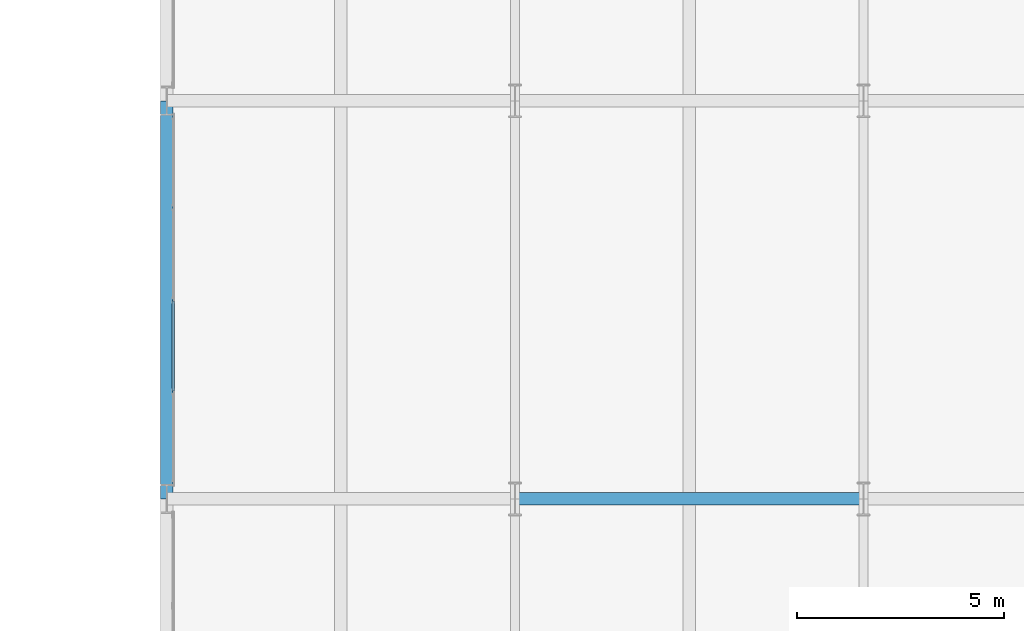
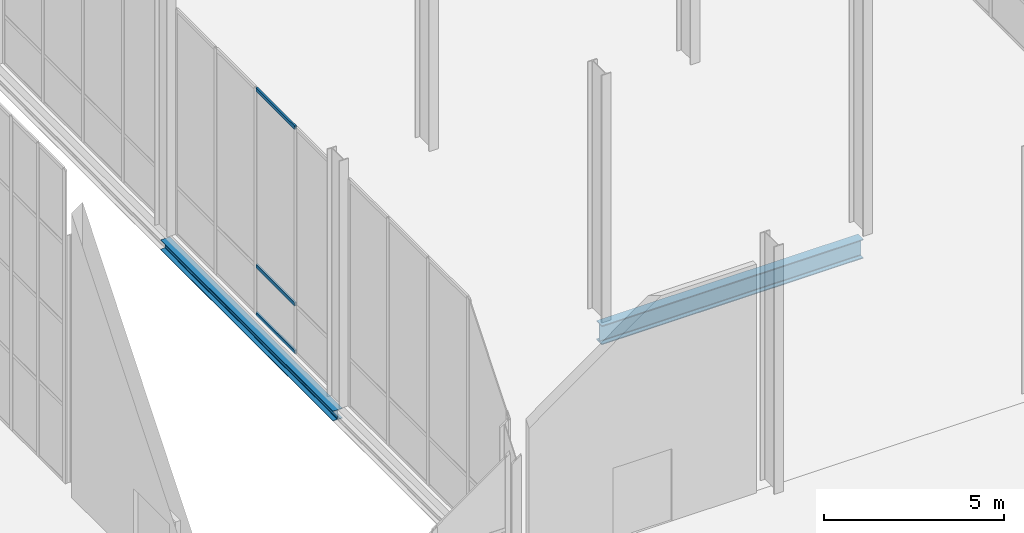
# One storey, part 59 of 131: 3 members, 2 beams, 1 element without a shape of its own.
"""IFC4 building model written with IfcOpenShell, lengths in metres."""

from ifc_helpers import new_model, si_unit, direction, frame, origin, origin_2d, place, context, subcontext, project, spatial, hollow_rectangle, i_section, extrude, material, material_profile, profile_set, type_object, element, aggregate, save


model = new_model("IFC4")

# Units and contexts
model_context = context("Model", 3, precision=1e-05, world=origin(), true_north=direction((0.0, 1.0)))
body_context = subcontext(model_context, "Body", "Model", "MODEL_VIEW")
ifc_project = project(units=[si_unit("LENGTHUNIT", "METRE"), si_unit("AREAUNIT", "SQUARE_METRE"), si_unit("VOLUMEUNIT", "CUBIC_METRE"), si_unit("PLANEANGLEUNIT", "RADIAN"), si_unit("MASSUNIT", "GRAM", prefix="KILO")], contexts=[model_context])

# Site, building, storey
site_placement = place(None, origin())
site = spatial("IfcSite", under=ifc_project, at=site_placement, CompositionType="ELEMENT")
building_placement = place(site_placement, origin())
building = spatial("IfcBuilding", under=site, at=building_placement, Name="Veltarok Museum of Natural Sciences", CompositionType="ELEMENT")
storey_placement = place(building_placement, origin())
storey = spatial("IfcBuildingStorey", under=building, at=storey_placement, Name="L00", CompositionType="ELEMENT", Elevation=0.0)

# Curtain wall, members
ifc_material_1 = material(Name="Low-iron triple insulated glass", Category="glass")
curtain_wall_type = type_object("IfcCurtainWallType", Name="Curtain Wall System CW-V2NPW-L00-2-890x768 (CW-V2NPW L00 890x768cm)", PredefinedType="NOTDEFINED", material=ifc_material_1)
curtain_wall_placement = place(storey_placement, origin())
curtain_wall = element("IfcCurtainWall", 1, at=curtain_wall_placement, inside=storey, type_object=curtain_wall_type, Name="Curtain Wall CW-V2NPW-L00-2-890x768 CW-0214", PredefinedType="NOTDEFINED")
ifc_material_2 = material(Name="Thermally broken anodised aluminium", Category="aluminium")
ifc_material_profile_1 = material_profile(ifc_material_2, hollow_rectangle(XDim=0.06005859375, YDim=0.1201171875, WallThickness=0.0048828125, at=origin_2d()), Name="CW TRANSOM 60x120x5")
ifc_profile_set_1 = profile_set([ifc_material_profile_1], Name="Thermally broken anodised aluminium")
member_type = type_object("IfcMemberType", Name="Curtain Wall Horizontal Transom 60x120x5", PredefinedType="USERDEFINED", material=ifc_profile_set_1)
member_1_placement = place(storey_placement, frame((56.949951171875, 84.205078125, 0.028076171875), z_axis=(0.0, 1.0, 0.0), x_axis=(-1.0, 0.0, 0.0)))
member_1 = element("IfcMember", 2, at=member_1_placement, type_object=member_type, Name="CW-V2NPW-L00-2-890x768 transom 2.1", ObjectType="TRANSOM", PredefinedType="USERDEFINED", context=body_context, shape_type="SweptSolid", body=[
    extrude(hollow_rectangle(XDim=0.06005859375, YDim=0.1201171875, WallThickness=0.0048828125, at=origin_2d()), origin(), (0.0, 0.0, 1.0), 2.1650390625),
])
member_2_placement = place(storey_placement, frame((56.949951171875, 84.205078125, 1.64794921875), z_axis=(0.0, 1.0, 0.0), x_axis=(-1.0, 0.0, 0.0)))
member_2 = element("IfcMember", 3, at=member_2_placement, type_object=member_type, Name="CW-V2NPW-L00-2-890x768 transom 2.2", ObjectType="TRANSOM", PredefinedType="USERDEFINED", context=body_context, shape_type="SweptSolid", body=[
    extrude(hollow_rectangle(XDim=0.06005859375, YDim=0.1201171875, WallThickness=0.0048828125, at=origin_2d()), origin(), (0.0, 0.0, 1.0), 2.1650390625),
])
member_3_placement = place(storey_placement, frame((56.949951171875, 84.205078125, 7.64990234375), z_axis=(0.0, 1.0, 0.0), x_axis=(-1.0, 0.0, 0.0)))
member_3 = element("IfcMember", 4, at=member_3_placement, type_object=member_type, Name="CW-V2NPW-L00-2-890x768 transom 2.3", ObjectType="TRANSOM", PredefinedType="USERDEFINED", context=body_context, shape_type="SweptSolid", body=[
    extrude(hollow_rectangle(XDim=0.06005859375, YDim=0.1201171875, WallThickness=0.0048828125, at=origin_2d()), origin(), (0.0, 0.0, 1.0), 2.1650390625),
])
aggregate(curtain_wall, [member_1, member_2, member_3])

# Beams
ifc_material_3 = material(Name="Steel S355J2", Category="steel")
ifc_material_profile_2 = material_profile(ifc_material_3, i_section(OverallWidth=0.300048828125, OverallDepth=0.64990234375, WebThickness=0.01611328125, FlangeThickness=0.031005859375, FilletRadius=0.027099609375, at=origin_2d()), Name="HEB 650")
ifc_profile_set_2 = profile_set([ifc_material_profile_2], Name="Steel S355J2")
beam_type_1 = type_object("IfcBeamType", Name="Heavy Spine Girder HEB 650", PredefinedType="BEAM", material=ifc_profile_set_2)
beam_1_placement = place(storey_placement, frame((65.199951171875, 81.60009765625, -0.625), z_axis=(1.0, 0.0, 0.0), x_axis=(0.0, 1.0, 0.0)))
element("IfcBeam", 5, at=beam_1_placement, inside=storey, type_object=beam_type_1, Name="Beam BM-G11 L00 8-9/J", PredefinedType="BEAM", context=body_context, shape_type="SweptSolid", body=[
    extrude(i_section(OverallWidth=0.300048828125, OverallDepth=0.64990234375, WebThickness=0.01611328125, FlangeThickness=0.031005859375, FilletRadius=0.027099609375, at=origin_2d()), origin(), (0.0, 0.0, 1.0), 8.400146484375),
])
ifc_material_profile_3 = material_profile(ifc_material_3, i_section(OverallWidth=0.300048828125, OverallDepth=0.340087890625, WebThickness=0.011962890625, FlangeThickness=0.021484375, FilletRadius=0.027099609375, at=origin_2d()), Name="HEB 340")
ifc_profile_set_3 = profile_set([ifc_material_profile_3], Name="Steel S355J2")
beam_type_2 = type_object("IfcBeamType", Name="Perimeter Bridge Spandrel HEB 340", PredefinedType="SPANDREL", material=ifc_profile_set_3)
beam_2_placement = place(storey_placement, frame((56.800048828125, 81.60009765625, -0.469970703125), z_axis=(0.0, 1.0, 0.0), x_axis=(-1.0, 0.0, 0.0)))
element("IfcBeam", 6, at=beam_2_placement, inside=storey, type_object=beam_type_2, Name="Beam BM-SP07 L00 7/J-K", PredefinedType="SPANDREL", context=body_context, shape_type="SweptSolid", body=[
    extrude(i_section(OverallWidth=0.300048828125, OverallDepth=0.340087890625, WebThickness=0.011962890625, FlangeThickness=0.021484375, FilletRadius=0.027099609375, at=origin_2d()), origin(), (0.0, 0.0, 1.0), 9.599853515625),
])

save(model, "model.ifc")
